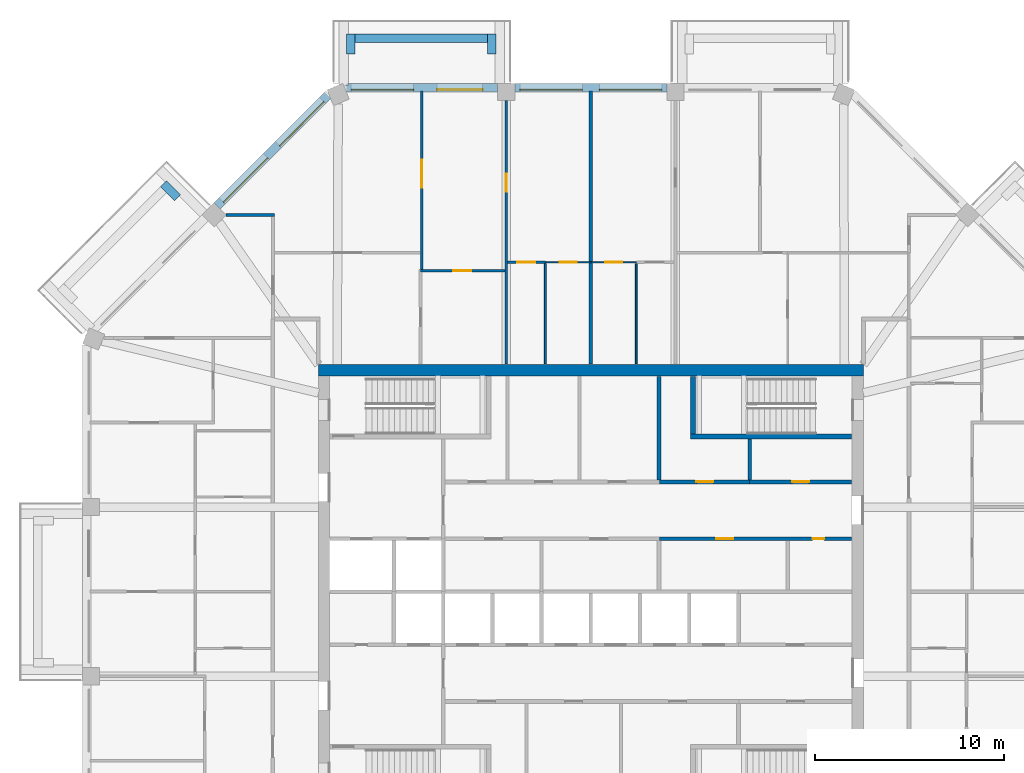
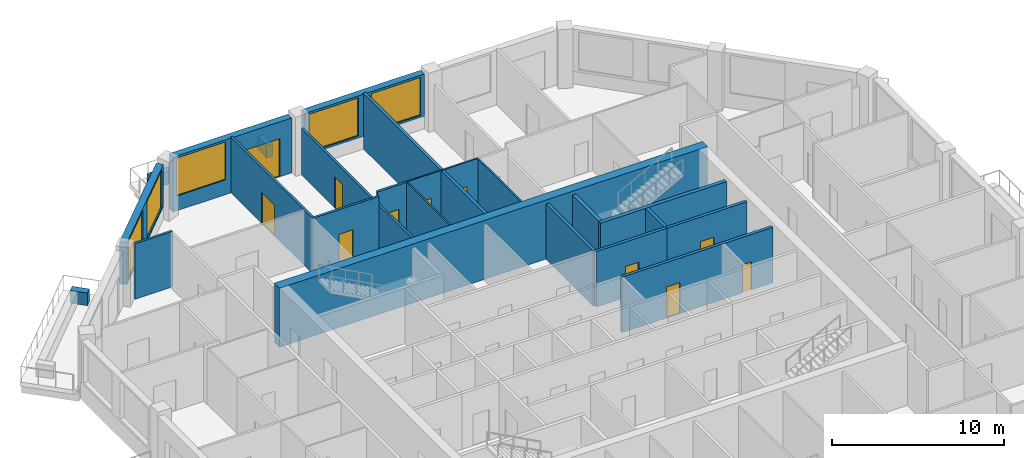
# One storey, part 8 of 12: 25 walls, 11 doors, 5 windows, 16 openings.
"""IFC4 building model written with IfcOpenShell, lengths in metres."""

from ifc_helpers import new_model, si_unit, direction, frame, frame_2d, origin, place, context, subcontext, project, spatial, rectangle, extrude, material, layer, layer_set, type_object, element, fill, save


model = new_model("IFC4")

# Units and contexts
model_context = context("Model", 3, precision=1e-05, world=origin(), true_north=direction((0.0, 1.0)))
body_context = subcontext(model_context, "Body", "Model", "MODEL_VIEW")
ifc_project = project(units=[si_unit("LENGTHUNIT", "METRE"), si_unit("AREAUNIT", "SQUARE_METRE"), si_unit("VOLUMEUNIT", "CUBIC_METRE"), si_unit("PLANEANGLEUNIT", "RADIAN"), si_unit("MASSUNIT", "GRAM", prefix="KILO")], contexts=[model_context])

# Site, building, storey
site_placement = place(None, origin())
site = spatial("IfcSite", under=ifc_project, at=site_placement, CompositionType="ELEMENT")
building_placement = place(site_placement, origin())
building = spatial("IfcBuilding", under=site, at=building_placement, Name="Msitu Wima Residences", CompositionType="ELEMENT")
storey_placement = place(building_placement, frame((0.0, 0.0, 255.89990234375)))
storey = spatial("IfcBuildingStorey", under=building, at=storey_placement, Name="L59", CompositionType="ELEMENT", Elevation=255.89990234375)

# Walls
ifc_material_1 = material(Name="Facing brick")
ifc_layer_1 = layer(ifc_material_1, 0.06494140625, Name="Facing brick")
ifc_material_2 = material(Name="Concrete C40/50", Category="concrete")
ifc_layer_2 = layer(ifc_material_2, 0.156005859375, Name="Concrete C40/50")
ifc_material_3 = material(Name="Waterproofing membrane")
ifc_layer_3 = layer(ifc_material_3, 0.00390625, Name="Waterproofing membrane")
ifc_material_4 = material(Name="Planting soil and planting")
ifc_layer_4 = layer(ifc_material_4, 0.22509765625, Name="Planting soil and planting")
ifc_layer_set_1 = layer_set([ifc_layer_1, ifc_layer_2, ifc_layer_3, ifc_layer_4], Name="Concrete C40/50")
wall_type_1 = type_object("IfcWallType", Name="Balcony planter PLANTER PL450", PredefinedType="USERDEFINED", material=ifc_layer_set_1)
wall_1_placement = place(storey_placement, frame((-5.468505859375, 29.22509765625, 0.0), z_axis=(0.0, 0.0, 1.0), x_axis=(-1.0, 0.0, 0.0)))
element("IfcWall", 1, at=wall_1_placement, inside=storey, type_object=wall_type_1, Name="Balcony planter N2 L59", ObjectType="PLANTER", PredefinedType="USERDEFINED", context=body_context, shape_type="SweptSolid", body=[
    extrude(rectangle(XDim=6.9873046875, YDim=0.449951171875, at=frame_2d((3.49365234375, 0.0))), origin(), (0.0, 0.0, 1.0), 0.900146484375),
])
for number, where, z_axis, x_axis, name in (
    (2, (-5.24365234375, 28.39990234375, 0.0), (0.0, 0.0, 1.0), (0.0, 1.0, 0.0), "Balcony planter N2 L59"),
    (3, (-12.680908203125, 28.39990234375, 0.0), (0.0, 0.0, 1.0), (0.0, 1.0, 0.0), "Balcony planter N2 L59"),
    (4, (-21.829833984375, 20.804443359375, 0.0), (0.0, 0.0, 1.0), (-0.707106781187, 0.707106781187, 0.0), "Balcony planter NW1 L59"),
):
    element("IfcWall", number, at=place(storey_placement, frame(where, z_axis=z_axis, x_axis=x_axis)), inside=storey, type_object=wall_type_1, Name=name, ObjectType="PLANTER", PredefinedType="USERDEFINED", context=body_context, shape_type="SweptSolid", body=[
        extrude(rectangle(XDim=1.050048828125, YDim=0.449951171875, at=frame_2d((0.52490234375, 0.0))), origin(), (0.0, 0.0, 1.0), 0.900146484375),
    ])

# Wall, openings, windows
ifc_material_5 = material(Name="Brick (red buff mix)", Category="masonry")
ifc_layer_5 = layer(ifc_material_5, 0.449951171875)
ifc_layer_set_2 = layer_set([ifc_layer_5], Name="Brick (red buff mix)")
wall_type_2 = type_object("IfcWallType", Name="Brick infill wall BW450", PredefinedType="SOLIDWALL", material=ifc_layer_set_2)
wall_2_placement = place(storey_placement, frame((4.0185546875, 26.625, 0.900146484375), z_axis=(0.0, 0.0, 1.0), x_axis=(-1.0, 0.0, 0.0)))
wall_2 = element("IfcWall", 5, at=wall_2_placement, inside=storey, type_object=wall_type_2, Name="Brick infill wall L59 N1", PredefinedType="SOLIDWALL", context=body_context, shape_type="SweptSolid", body=[
    extrude(rectangle(XDim=8.037109375, YDim=0.449951171875, at=frame_2d((4.0185546875, 0.0))), origin(), (0.0, 0.0, 1.0), 3.0),
])
opening_1_placement = place(wall_2_placement, frame((0.2685546875, 0.0, 0.14990234375)))
opening_1 = element("IfcOpeningElement", 6, at=opening_1_placement, cuts=wall_2, Name="Opening W57-59.007", PredefinedType="OPENING", context=body_context, shape_type="SweptSolid", body=[
    extrude(rectangle(XDim=3.300048828125, YDim=2.699951171875, at=frame_2d((1.64990234375, 1.35009765625))), frame((0.0, 0.23486328125, 0.0), z_axis=(0.0, -1.0, 0.0), x_axis=(1.0, 0.0, 0.0)), (0.0, 0.0, 1.0), 0.469970703125),
])
opening_2_placement = place(wall_2_placement, frame((4.46875, 0.0, 0.14990234375)))
opening_2 = element("IfcOpeningElement", 7, at=opening_2_placement, cuts=wall_2, Name="Opening W57-59.008", PredefinedType="OPENING", context=body_context, shape_type="SweptSolid", body=[
    extrude(rectangle(XDim=3.300048828125, YDim=2.699951171875, at=frame_2d((1.64990234375, 1.35009765625))), frame((0.0, 0.23486328125, 0.0), z_axis=(0.0, -1.0, 0.0), x_axis=(1.0, 0.0, 0.0)), (0.0, 0.0, 1.0), 0.469970703125),
])
ifc_material_6 = material(Name="Anodised aluminium, bronze finish, clear low-emissivity double glazing", Category="aluminium")
window_type = type_object("IfcWindowType", Name="Window W3300x2700", PartitioningType="DOUBLE_PANEL_VERTICAL", PredefinedType="WINDOW", material=ifc_material_6)
window_1_placement = place(opening_1_placement, origin())
window_1 = element("IfcWindow", 8, at=window_1_placement, inside=storey, type_object=window_type, Name="Window L59 N1.1", OverallHeight=2.699951171875, OverallWidth=3.300048828125, PartitioningType="SINGLE_PANEL", PredefinedType="WINDOW", context=body_context, shape_type="SweptSolid", body=[
    extrude(rectangle(XDim=3.300048828125, YDim=2.699951171875, at=frame_2d((1.64990234375, 1.35009765625))), frame((0.0, 0.135009765625, 0.0), z_axis=(0.0, -1.0, 0.0), x_axis=(1.0, 0.0, 0.0)), (0.0, 0.0, 1.0), 0.06005859375),
])
fill(opening_1, window_1)
window_2_placement = place(opening_2_placement, origin())
window_2 = element("IfcWindow", 9, at=window_2_placement, inside=storey, type_object=window_type, Name="Window L59 N1.2", OverallHeight=2.699951171875, OverallWidth=3.300048828125, PartitioningType="SINGLE_PANEL", PredefinedType="WINDOW", context=body_context, shape_type="SweptSolid", body=[
    extrude(rectangle(XDim=3.300048828125, YDim=2.699951171875, at=frame_2d((1.64990234375, 1.35009765625))), frame((0.0, 0.135009765625, 0.0), z_axis=(0.0, -1.0, 0.0), x_axis=(1.0, 0.0, 0.0)), (0.0, 0.0, 1.0), 0.06005859375),
])
fill(opening_2, window_2)

# Wall, openings, door, window
wall_3_placement = place(storey_placement, frame((-4.918701171875, 26.625, 0.0), z_axis=(0.0, 0.0, 1.0), x_axis=(-1.0, 0.0, 0.0)))
wall_3 = element("IfcWall", 10, at=wall_3_placement, inside=storey, type_object=wall_type_2, Name="Brick infill wall L59 N2", PredefinedType="SOLIDWALL", context=body_context, shape_type="SweptSolid", body=[
    extrude(rectangle(XDim=8.0, YDim=0.449951171875, at=frame_2d((4.0, 0.0))), origin(), (0.0, 0.0, 1.0), 3.900146484375),
])
opening_3_placement = place(wall_3_placement, frame((0.800048828125, 0.0, 0.0)))
opening_3 = element("IfcOpeningElement", 11, at=opening_3_placement, cuts=wall_3, Name="Opening D57-59.003", PredefinedType="OPENING", context=body_context, shape_type="SweptSolid", body=[
    extrude(rectangle(XDim=2.39990234375, YDim=2.699951171875, at=frame_2d((1.199951171875, 1.35009765625))), frame((0.0, 0.23486328125, 0.0), z_axis=(0.0, -1.0, 0.0), x_axis=(1.0, 0.0, 0.0)), (0.0, 0.0, 1.0), 0.469970703125),
])
opening_4_placement = place(wall_3_placement, frame((4.4501953125, 0.0, 1.050048828125)))
opening_4 = element("IfcOpeningElement", 12, at=opening_4_placement, cuts=wall_3, Name="Opening W57-59.009", PredefinedType="OPENING", context=body_context, shape_type="SweptSolid", body=[
    extrude(rectangle(XDim=3.300048828125, YDim=2.699951171875, at=frame_2d((1.64990234375, 1.35009765625))), frame((0.0, 0.23486328125, 0.0), z_axis=(0.0, -1.0, 0.0), x_axis=(1.0, 0.0, 0.0)), (0.0, 0.0, 1.0), 0.469970703125),
])
door_type_1 = type_object("IfcDoorType", Name="Balcony door D2400x2700", OperationType="SLIDING_TO_LEFT", PredefinedType="DOOR", material=ifc_material_6)
door_1_placement = place(opening_3_placement, origin())
door_1 = element("IfcDoor", 13, at=door_1_placement, inside=storey, type_object=door_type_1, Name="Balcony door L59 N2", OperationType="SINGLE_SWING_LEFT", OverallHeight=2.699951171875, OverallWidth=2.39990234375, PredefinedType="DOOR", context=body_context, shape_type="SweptSolid", body=[
    extrude(rectangle(XDim=2.39990234375, YDim=2.699951171875, at=frame_2d((1.199951171875, 1.35009765625))), frame((0.0, 0.1298828125, 0.0), z_axis=(0.0, -1.0, 0.0), x_axis=(1.0, 0.0, 0.0)), (0.0, 0.0, 1.0), 0.050048828125),
])
fill(opening_3, door_1)
window_3_placement = place(opening_4_placement, origin())
window_3 = element("IfcWindow", 14, at=window_3_placement, inside=storey, type_object=window_type, Name="Window L59 N2.2", OverallHeight=2.699951171875, OverallWidth=3.300048828125, PartitioningType="SINGLE_PANEL", PredefinedType="WINDOW", context=body_context, shape_type="SweptSolid", body=[
    extrude(rectangle(XDim=3.300048828125, YDim=2.699951171875, at=frame_2d((1.64990234375, 1.35009765625))), frame((0.0, 0.135009765625, 0.0), z_axis=(0.0, -1.0, 0.0), x_axis=(1.0, 0.0, 0.0)), (0.0, 0.0, 1.0), 0.06005859375),
])
fill(opening_4, window_3)

# Wall, openings, windows
wall_4_placement = place(storey_placement, frame((-13.909423828125, 26.214599609375, 0.900146484375), z_axis=(0.0, 0.0, 1.0), x_axis=(-0.707106781187, -0.707106781187, 0.0)))
wall_4 = element("IfcWall", 15, at=wall_4_placement, inside=storey, type_object=wall_type_2, Name="Brick infill wall L59 NW0", PredefinedType="SOLIDWALL", context=body_context, shape_type="SweptSolid", body=[
    extrude(rectangle(XDim=8.251220703125, YDim=0.449951171875, at=frame_2d((4.12548828125, 0.0))), origin(), (0.0, 0.0, 1.0), 3.0),
])
opening_5_placement = place(wall_4_placement, frame((0.37548828125, 0.0, 0.14990234375)))
opening_5 = element("IfcOpeningElement", 16, at=opening_5_placement, cuts=wall_4, Name="Opening W57-59.013", PredefinedType="OPENING", context=body_context, shape_type="SweptSolid", body=[
    extrude(rectangle(XDim=3.300048828125, YDim=2.699951171875, at=frame_2d((1.64990234375, 1.35009765625))), frame((0.0, 0.23486328125, 0.0), z_axis=(0.0, -1.0, 0.0), x_axis=(1.0, 0.0, 0.0)), (0.0, 0.0, 1.0), 0.469970703125),
])
opening_6_placement = place(wall_4_placement, frame((4.57568359375, 0.0, 0.14990234375)))
opening_6 = element("IfcOpeningElement", 17, at=opening_6_placement, cuts=wall_4, Name="Opening W57-59.014", PredefinedType="OPENING", context=body_context, shape_type="SweptSolid", body=[
    extrude(rectangle(XDim=3.300048828125, YDim=2.699951171875, at=frame_2d((1.64990234375, 1.35009765625))), frame((0.0, 0.23486328125, 0.0), z_axis=(0.0, -1.0, 0.0), x_axis=(1.0, 0.0, 0.0)), (0.0, 0.0, 1.0), 0.469970703125),
])
window_4_placement = place(opening_5_placement, origin())
window_4 = element("IfcWindow", 18, at=window_4_placement, inside=storey, type_object=window_type, Name="Window L59 NW0.1", OverallHeight=2.699951171875, OverallWidth=3.300048828125, PartitioningType="SINGLE_PANEL", PredefinedType="WINDOW", context=body_context, shape_type="SweptSolid", body=[
    extrude(rectangle(XDim=3.300048828125, YDim=2.699951171875, at=frame_2d((1.64990234375, 1.35009765625))), frame((0.0, 0.135009765625, 0.0), z_axis=(0.0, -1.0, 0.0), x_axis=(1.0, 0.0, 0.0)), (0.0, 0.0, 1.0), 0.06005859375),
])
fill(opening_5, window_4)
window_5_placement = place(opening_6_placement, origin())
window_5 = element("IfcWindow", 19, at=window_5_placement, inside=storey, type_object=window_type, Name="Window L59 NW0.2", OverallHeight=2.699951171875, OverallWidth=3.300048828125, PartitioningType="SINGLE_PANEL", PredefinedType="WINDOW", context=body_context, shape_type="SweptSolid", body=[
    extrude(rectangle(XDim=3.300048828125, YDim=2.699951171875, at=frame_2d((1.64990234375, 1.35009765625))), frame((0.0, 0.135009765625, 0.0), z_axis=(0.0, -1.0, 0.0), x_axis=(1.0, 0.0, 0.0)), (0.0, 0.0, 1.0), 0.06005859375),
])
fill(opening_6, window_5)

# Wall
ifc_material_7 = material(Name="Concrete C50/60", Category="concrete")
ifc_layer_6 = layer(ifc_material_7, 0.60009765625)
ifc_layer_set_3 = layer_set([ifc_layer_6], Name="Concrete C50/60")
wall_type_3 = type_object("IfcWallType", Name="Core wall CW600 C50/60", PredefinedType="SHEAR", material=ifc_layer_set_3)
wall_5_placement = place(storey_placement, frame((-14.39990234375, 11.699951171875, 0.0), z_axis=(0.0, 0.0, 1.0), x_axis=(1.0, 0.0, 0.0)))
element("IfcWall", 20, at=wall_5_placement, inside=storey, type_object=wall_type_3, Name="Core wall", PredefinedType="SHEAR", context=body_context, shape_type="SweptSolid", body=[
    extrude(rectangle(XDim=28.7998046875, YDim=0.60009765625, at=frame_2d((14.39990234375, 0.0))), origin(), (0.0, 0.0, 1.0), 4.2001953125),
])

# Wall, opening, door
ifc_material_8 = material(Name="Plaster")
ifc_layer_7 = layer(ifc_material_8, 0.011962890625, Name="Plaster")
ifc_material_9 = material(Name="Concrete blockwork", Category="masonry")
ifc_layer_8 = layer(ifc_material_9, 0.176025390625, Name="Concrete blockwork")
ifc_layer_9 = layer(ifc_material_8, 0.011962890625, Name="Plaster")
ifc_layer_set_4 = layer_set([ifc_layer_7, ifc_layer_8, ifc_layer_9], Name="Concrete blockwork")
wall_type_4 = type_object("IfcWallType", Name="Corridor wall FW200", PredefinedType="PARTITIONING", material=ifc_layer_set_4)
wall_6_placement = place(storey_placement, frame((8.3798828125, 5.800048828125, 0.0), z_axis=(0.0, 0.0, 1.0), x_axis=(1.0, 0.0, 0.0)))
wall_6 = element("IfcWall", 21, at=wall_6_placement, inside=storey, type_object=wall_type_4, Name="Corridor wall", PredefinedType="PARTITIONING", context=body_context, shape_type="SweptSolid", body=[
    extrude(rectangle(XDim=5.39013671875, YDim=0.199951171875, at=frame_2d((2.695068359375, 0.0))), origin(), (0.0, 0.0, 1.0), 3.9501953125),
])
opening_7_placement = place(wall_6_placement, frame((2.25, 0.0, 0.0)))
opening_7 = element("IfcOpeningElement", 22, at=opening_7_placement, cuts=wall_6, Name="Opening D57-59.072", PredefinedType="OPENING", context=body_context, shape_type="SweptSolid", body=[
    extrude(rectangle(XDim=0.89990234375, YDim=2.199951171875, at=frame_2d((0.449951171875, 1.10009765625))), frame((0.0, 0.10986328125, 0.0), z_axis=(0.0, -1.0, 0.0), x_axis=(1.0, 0.0, 0.0)), (0.0, 0.0, 1.0), 0.219970703125),
])
ifc_material_10 = material(Name="Timber flush door", Category="wood")
door_type_2 = type_object("IfcDoorType", Name="Service door D05 900x2200", OperationType="SINGLE_SWING_LEFT", PredefinedType="DOOR", material=ifc_material_10)
door_2_placement = place(opening_7_placement, origin())
door_2 = element("IfcDoor", 23, at=door_2_placement, inside=storey, type_object=door_type_2, Name="Service door", OperationType="SINGLE_SWING_LEFT", OverallHeight=2.199951171875, OverallWidth=0.89990234375, PredefinedType="DOOR", context=body_context, shape_type="SweptSolid", body=[
    extrude(rectangle(XDim=0.89990234375, YDim=2.199951171875, at=frame_2d((0.449951171875, 1.10009765625))), frame((0.0, 0.02490234375, 0.0), z_axis=(0.0, -1.0, 0.0), x_axis=(1.0, 0.0, 0.0)), (0.0, 0.0, 1.0), 0.050048828125),
])
fill(opening_7, door_2)

# Wall
ifc_layer_10 = layer(ifc_material_8, 0.011962890625, Name="Plaster")
ifc_layer_11 = layer(ifc_material_9, 0.1259765625, Name="Concrete blockwork")
ifc_layer_12 = layer(ifc_material_8, 0.011962890625, Name="Plaster")
ifc_layer_set_5 = layer_set([ifc_layer_10, ifc_layer_11, ifc_layer_12], Name="Concrete blockwork")
wall_type_5 = type_object("IfcWallType", Name="Partition PW150", PredefinedType="PARTITIONING", material=ifc_layer_set_5)
wall_7_placement = place(storey_placement, frame((-19.2666015625, 19.90283203125, 0.0), z_axis=(0.0, 0.0, 1.0), x_axis=(1.0, 0.0, 0.0)))
element("IfcWall", 24, at=wall_7_placement, inside=storey, type_object=wall_type_5, Name="Partition", PredefinedType="PARTITIONING", context=body_context, shape_type="SweptSolid", body=[
    extrude(rectangle(XDim=2.54150390625, YDim=0.14990234375, at=frame_2d((1.270751953125, 0.0))), origin(), (0.0, 0.0, 1.0), 3.9501953125),
])

# Wall, opening, door
wall_8_placement = place(storey_placement, frame((-8.937255859375, 17.02490234375, 0.0), z_axis=(0.0, 0.0, 1.0), x_axis=(0.0, 1.0, 0.0)))
wall_8 = element("IfcWall", 25, at=wall_8_placement, inside=storey, type_object=wall_type_5, Name="Partition", PredefinedType="PARTITIONING", context=body_context, shape_type="SweptSolid", body=[
    extrude(rectangle(XDim=9.43017578125, YDim=0.14990234375, at=frame_2d((4.715087890625, 0.0))), origin(), (0.0, 0.0, 1.0), 3.9501953125),
])
opening_8_placement = place(wall_8_placement, frame((4.300048828125, 0.0, 0.0)))
opening_8 = element("IfcOpeningElement", 26, at=opening_8_placement, cuts=wall_8, Name="Opening D57-59.035", PredefinedType="OPENING", context=body_context, shape_type="SweptSolid", body=[
    extrude(rectangle(XDim=1.5, YDim=2.199951171875, at=frame_2d((0.75, 1.10009765625))), frame((0.0, 0.0849609375, 0.0), z_axis=(0.0, -1.0, 0.0), x_axis=(1.0, 0.0, 0.0)), (0.0, 0.0, 1.0), 0.169921875),
])
ifc_material_11 = material(Name="Timber double door", Category="wood")
door_type_3 = type_object("IfcDoorType", Name="Double door D04 1500x2200", OperationType="DOUBLE_DOOR_SINGLE_SWING", PredefinedType="DOOR", material=ifc_material_11)
door_3_placement = place(opening_8_placement, origin())
door_3 = element("IfcDoor", 27, at=door_3_placement, inside=storey, type_object=door_type_3, Name="Double door", OperationType="DOUBLE_DOOR_SINGLE_SWING", OverallHeight=2.199951171875, OverallWidth=1.5, PredefinedType="DOOR", context=body_context, shape_type="SweptSolid", body=[
    extrude(rectangle(XDim=1.5, YDim=2.199951171875, at=frame_2d((0.75, 1.10009765625))), frame((0.0, 0.02490234375, 0.0), z_axis=(0.0, -1.0, 0.0), x_axis=(1.0, 0.0, 0.0)), (0.0, 0.0, 1.0), 0.050048828125),
])
fill(opening_8, door_3)

wall_9_placement = place(storey_placement, frame((-9.01220703125, 16.949951171875, 0.0), z_axis=(0.0, 0.0, 1.0), x_axis=(1.0, 0.0, 0.0)))
wall_9 = element("IfcWall", 28, at=wall_9_placement, inside=storey, type_object=wall_type_5, Name="Partition", PredefinedType="PARTITIONING", context=body_context, shape_type="SweptSolid", body=[
    extrude(rectangle(XDim=4.468505859375, YDim=0.14990234375, at=frame_2d((2.234375, 0.0))), origin(), (0.0, 0.0, 1.0), 3.9501953125),
])
opening_9_placement = place(wall_9_placement, frame((1.75, 0.0, 0.0)))
opening_9 = element("IfcOpeningElement", 29, at=opening_9_placement, cuts=wall_9, Name="Opening D57-59.042", PredefinedType="OPENING", context=body_context, shape_type="SweptSolid", body=[
    extrude(rectangle(XDim=0.949951171875, YDim=2.199951171875, at=frame_2d((0.47509765625, 1.10009765625))), frame((0.0, 0.0849609375, 0.0), z_axis=(0.0, -1.0, 0.0), x_axis=(1.0, 0.0, 0.0)), (0.0, 0.0, 1.0), 0.169921875),
])
door_type_4 = type_object("IfcDoorType", Name="Room door D12 950x2200", OperationType="SINGLE_SWING_LEFT", PredefinedType="DOOR", material=ifc_material_10)
door_4_placement = place(opening_9_placement, origin())
door_4 = element("IfcDoor", 30, at=door_4_placement, inside=storey, type_object=door_type_4, Name="Room door", OperationType="SINGLE_SWING_LEFT", OverallHeight=2.199951171875, OverallWidth=0.949951171875, PredefinedType="DOOR", context=body_context, shape_type="SweptSolid", body=[
    extrude(rectangle(XDim=0.949951171875, YDim=2.199951171875, at=frame_2d((0.47509765625, 1.10009765625))), frame((0.0, 0.02490234375, 0.0), z_axis=(0.0, -1.0, 0.0), x_axis=(1.0, 0.0, 0.0)), (0.0, 0.0, 1.0), 0.050048828125),
])
fill(opening_9, door_4)

wall_10_placement = place(storey_placement, frame((-4.46875, 12.030029296875, 0.0), z_axis=(0.0, 0.0, 1.0), x_axis=(0.0, 1.0, 0.0)))
wall_10 = element("IfcWall", 31, at=wall_10_placement, inside=storey, type_object=wall_type_5, Name="Partition", PredefinedType="PARTITIONING", context=body_context, shape_type="SweptSolid", body=[
    extrude(rectangle(XDim=13.919921875, YDim=0.14990234375, at=frame_2d((6.9599609375, 0.0))), origin(), (0.0, 0.0, 1.0), 3.300048828125),
])
opening_10_placement = place(wall_10_placement, frame((9.10009765625, 0.0, 0.0)))
opening_10 = element("IfcOpeningElement", 32, at=opening_10_placement, cuts=wall_10, Name="Opening D57-59.039", PredefinedType="OPENING", context=body_context, shape_type="SweptSolid", body=[
    extrude(rectangle(XDim=0.949951171875, YDim=2.199951171875, at=frame_2d((0.47509765625, 1.10009765625))), frame((0.0, 0.0849609375, 0.0), z_axis=(0.0, -1.0, 0.0), x_axis=(1.0, 0.0, 0.0)), (0.0, 0.0, 1.0), 0.169921875),
])
door_5_placement = place(opening_10_placement, origin())
door_5 = element("IfcDoor", 33, at=door_5_placement, inside=storey, type_object=door_type_4, Name="Room door", OperationType="SINGLE_SWING_RIGHT", OverallHeight=2.199951171875, OverallWidth=0.949951171875, PredefinedType="DOOR", context=body_context, shape_type="SweptSolid", body=[
    extrude(rectangle(XDim=0.949951171875, YDim=2.199951171875, at=frame_2d((0.47509765625, 1.10009765625))), frame((0.0, 0.02490234375, 0.0), z_axis=(0.0, -1.0, 0.0), x_axis=(1.0, 0.0, 0.0)), (0.0, 0.0, 1.0), 0.050048828125),
])
fill(opening_10, door_5)

wall_11_placement = place(storey_placement, frame((-4.3935546875, 17.39990234375, 0.0), z_axis=(0.0, 0.0, 1.0), x_axis=(1.0, 0.0, 0.0)))
wall_11 = element("IfcWall", 34, at=wall_11_placement, inside=storey, type_object=wall_type_5, Name="Partition", PredefinedType="PARTITIONING", context=body_context, shape_type="SweptSolid", body=[
    extrude(rectangle(XDim=1.99365234375, YDim=0.14990234375, at=frame_2d((0.996826171875, 0.0))), origin(), (0.0, 0.0, 1.0), 3.9501953125),
])
opening_11_placement = place(wall_11_placement, frame((0.5, 0.0, 0.0)))
opening_11 = element("IfcOpeningElement", 35, at=opening_11_placement, cuts=wall_11, Name="Opening D57-59.041", PredefinedType="OPENING", context=body_context, shape_type="SweptSolid", body=[
    extrude(rectangle(XDim=0.949951171875, YDim=2.199951171875, at=frame_2d((0.47509765625, 1.10009765625))), frame((0.0, 0.0849609375, 0.0), z_axis=(0.0, -1.0, 0.0), x_axis=(1.0, 0.0, 0.0)), (0.0, 0.0, 1.0), 0.169921875),
])
door_6_placement = place(opening_11_placement, origin())
door_6 = element("IfcDoor", 36, at=door_6_placement, inside=storey, type_object=door_type_4, Name="Room door", OperationType="SINGLE_SWING_LEFT", OverallHeight=2.199951171875, OverallWidth=0.949951171875, PredefinedType="DOOR", context=body_context, shape_type="SweptSolid", body=[
    extrude(rectangle(XDim=0.949951171875, YDim=2.199951171875, at=frame_2d((0.47509765625, 1.10009765625))), frame((0.0, 0.02490234375, 0.0), z_axis=(0.0, -1.0, 0.0), x_axis=(1.0, 0.0, 0.0)), (0.0, 0.0, 1.0), 0.050048828125),
])
fill(opening_11, door_6)

# Wall
ifc_layer_13 = layer(ifc_material_8, 0.011962890625, Name="Plaster")
ifc_material_12 = material(Name="Dense concrete blockwork", Category="masonry")
ifc_layer_14 = layer(ifc_material_12, 0.176025390625, Name="Dense concrete blockwork")
ifc_layer_15 = layer(ifc_material_8, 0.011962890625, Name="Plaster")
ifc_layer_set_6 = layer_set([ifc_layer_13, ifc_layer_14, ifc_layer_15], Name="Dense concrete blockwork")
wall_type_6 = type_object("IfcWallType", Name="Party wall PW200", PredefinedType="PARTITIONING", material=ifc_layer_set_6)
wall_12_placement = place(storey_placement, frame((0.0, 12.030029296875, 0.0), z_axis=(0.0, 0.0, 1.0), x_axis=(0.0, 1.0, 0.0)))
element("IfcWall", 37, at=wall_12_placement, inside=storey, type_object=wall_type_6, Name="Party wall", PredefinedType="PARTITIONING", context=body_context, shape_type="SweptSolid", body=[
    extrude(rectangle(XDim=14.425048828125, YDim=0.199951171875, at=frame_2d((7.21240234375, 0.0))), origin(), (0.0, 0.0, 1.0), 3.9501953125),
])

# Wall, openings, doors
ifc_layer_16 = layer(ifc_material_8, 0.011962890625, Name="Plaster")
ifc_material_13 = material(Name="Reinforced concrete blockwork", Category="masonry")
ifc_layer_17 = layer(ifc_material_13, 0.176025390625, Name="Reinforced concrete blockwork")
ifc_layer_18 = layer(ifc_material_8, 0.011962890625, Name="Plaster")
ifc_layer_set_7 = layer_set([ifc_layer_16, ifc_layer_17, ifc_layer_18], Name="Reinforced concrete blockwork")
wall_type_7 = type_object("IfcWallType", Name="Plant and riser wall PL200", PredefinedType="PARTITIONING", material=ifc_layer_set_7)
wall_13_placement = place(storey_placement, frame((3.6201171875, 2.800048828125, 0.0), z_axis=(0.0, 0.0, 1.0), x_axis=(1.0, 0.0, 0.0)))
wall_13 = element("IfcWall", 38, at=wall_13_placement, inside=storey, type_object=wall_type_7, Name="Plant and riser wall", PredefinedType="PARTITIONING", context=body_context, shape_type="SweptSolid", body=[
    extrude(rectangle(XDim=10.14990234375, YDim=0.199951171875, at=frame_2d((5.074951171875, 0.0))), origin(), (0.0, 0.0, 1.0), 3.9501953125),
])
opening_12_placement = place(wall_13_placement, frame((8.10009765625, 0.0, 0.0)))
opening_12 = element("IfcOpeningElement", 39, at=opening_12_placement, cuts=wall_13, Name="Opening D57-59.082", PredefinedType="OPENING", context=body_context, shape_type="SweptSolid", body=[
    extrude(rectangle(XDim=0.60009765625, YDim=2.0, at=frame_2d((0.300048828125, 1.0))), frame((0.0, 0.10986328125, 0.0), z_axis=(0.0, -1.0, 0.0), x_axis=(1.0, 0.0, 0.0)), (0.0, 0.0, 1.0), 0.219970703125),
])
opening_13_placement = place(wall_13_placement, frame((3.0, 0.0, 0.0)))
opening_13 = element("IfcOpeningElement", 40, at=opening_13_placement, cuts=wall_13, Name="Opening D57-59.081", PredefinedType="OPENING", context=body_context, shape_type="SweptSolid", body=[
    extrude(rectangle(XDim=0.89990234375, YDim=2.199951171875, at=frame_2d((0.449951171875, 1.10009765625))), frame((0.0, 0.10986328125, 0.0), z_axis=(0.0, -1.0, 0.0), x_axis=(1.0, 0.0, 0.0)), (0.0, 0.0, 1.0), 0.219970703125),
])
ifc_material_14 = material(Name="Steel access door, fire resisting", Category="steel")
door_type_5 = type_object("IfcDoorType", Name="Riser access door D08 600x2000", OperationType="SINGLE_SWING_LEFT", PredefinedType="DOOR", material=ifc_material_14)
door_7_placement = place(opening_12_placement, origin())
door_7 = element("IfcDoor", 41, at=door_7_placement, inside=storey, type_object=door_type_5, Name="Riser access door", OperationType="SINGLE_SWING_RIGHT", OverallHeight=2.0, OverallWidth=0.60009765625, PredefinedType="DOOR", context=body_context, shape_type="SweptSolid", body=[
    extrude(rectangle(XDim=0.60009765625, YDim=2.0, at=frame_2d((0.300048828125, 1.0))), frame((0.0, 0.02490234375, 0.0), z_axis=(0.0, -1.0, 0.0), x_axis=(1.0, 0.0, 0.0)), (0.0, 0.0, 1.0), 0.050048828125),
])
fill(opening_12, door_7)
door_8_placement = place(opening_13_placement, origin())
door_8 = element("IfcDoor", 42, at=door_8_placement, inside=storey, type_object=door_type_2, Name="Service door", OperationType="SINGLE_SWING_LEFT", OverallHeight=2.199951171875, OverallWidth=0.89990234375, PredefinedType="DOOR", context=body_context, shape_type="SweptSolid", body=[
    extrude(rectangle(XDim=0.89990234375, YDim=2.199951171875, at=frame_2d((0.449951171875, 1.10009765625))), frame((0.0, 0.02490234375, 0.0), z_axis=(0.0, -1.0, 0.0), x_axis=(1.0, 0.0, 0.0)), (0.0, 0.0, 1.0), 0.050048828125),
])
fill(opening_13, door_8)

# Wall, opening, door
wall_14_placement = place(storey_placement, frame((3.6201171875, 5.800048828125, 0.0), z_axis=(0.0, 0.0, 1.0), x_axis=(1.0, 0.0, 0.0)))
wall_14 = element("IfcWall", 43, at=wall_14_placement, inside=storey, type_object=wall_type_7, Name="Plant and riser wall", PredefinedType="PARTITIONING", context=body_context, shape_type="SweptSolid", body=[
    extrude(rectangle(XDim=4.759765625, YDim=0.199951171875, at=frame_2d((2.3798828125, 0.0))), origin(), (0.0, 0.0, 1.0), 3.9501953125),
])
opening_14_placement = place(wall_14_placement, frame((1.949951171875, 0.0, 0.0)))
opening_14 = element("IfcOpeningElement", 44, at=opening_14_placement, cuts=wall_14, Name="Opening D57-59.071", PredefinedType="OPENING", context=body_context, shape_type="SweptSolid", body=[
    extrude(rectangle(XDim=0.89990234375, YDim=2.199951171875, at=frame_2d((0.449951171875, 1.10009765625))), frame((0.0, 0.10986328125, 0.0), z_axis=(0.0, -1.0, 0.0), x_axis=(1.0, 0.0, 0.0)), (0.0, 0.0, 1.0), 0.219970703125),
])
door_9_placement = place(opening_14_placement, origin())
door_9 = element("IfcDoor", 45, at=door_9_placement, inside=storey, type_object=door_type_2, Name="Service door", OperationType="SINGLE_SWING_RIGHT", OverallHeight=2.199951171875, OverallWidth=0.89990234375, PredefinedType="DOOR", context=body_context, shape_type="SweptSolid", body=[
    extrude(rectangle(XDim=0.89990234375, YDim=2.199951171875, at=frame_2d((0.449951171875, 1.10009765625))), frame((0.0, 0.02490234375, 0.0), z_axis=(0.0, -1.0, 0.0), x_axis=(1.0, 0.0, 0.0)), (0.0, 0.0, 1.0), 0.050048828125),
])
fill(opening_14, door_9)

# Walls
wall_15_placement = place(storey_placement, frame((3.60009765625, 5.89990234375, 0.0), z_axis=(0.0, 0.0, 1.0), x_axis=(0.0, 1.0, 0.0)))
element("IfcWall", 46, at=wall_15_placement, inside=storey, type_object=wall_type_7, Name="Plant and riser wall", PredefinedType="PARTITIONING", context=body_context, shape_type="SweptSolid", body=[
    extrude(rectangle(XDim=5.47021484375, YDim=0.199951171875, at=frame_2d((2.735107421875, 0.0))), origin(), (0.0, 0.0, 1.0), 3.9501953125),
])
wall_16_placement = place(storey_placement, frame((8.39990234375, 5.89990234375, 0.0), z_axis=(0.0, 0.0, 1.0), x_axis=(0.0, 1.0, 0.0)))
element("IfcWall", 47, at=wall_16_placement, inside=storey, type_object=wall_type_7, Name="Plant and riser wall", PredefinedType="PARTITIONING", context=body_context, shape_type="SweptSolid", body=[
    extrude(rectangle(XDim=2.175048828125, YDim=0.199951171875, at=frame_2d((1.08740234375, 0.0))), origin(), (0.0, 0.0, 1.0), 3.9501953125),
])
ifc_layer_19 = layer(ifc_material_7, 0.25)
ifc_layer_set_8 = layer_set([ifc_layer_19], Name="Concrete C50/60")
wall_type_8 = type_object("IfcWallType", Name="Stair enclosure wall SW250", PredefinedType="SHEAR", material=ifc_layer_set_8)
wall_17_placement = place(storey_placement, frame((5.39990234375, 8.324951171875, 0.0), z_axis=(0.0, 0.0, 1.0), x_axis=(0.0, 1.0, 0.0)))
element("IfcWall", 48, at=wall_17_placement, inside=storey, type_object=wall_type_8, Name="Stair enclosure wall", PredefinedType="SHEAR", context=body_context, shape_type="SweptSolid", body=[
    extrude(rectangle(XDim=3.045166015625, YDim=0.25, at=frame_2d((1.5224609375, 0.0))), origin(), (0.0, 0.0, 1.0), 3.9501953125),
])
wall_18_placement = place(storey_placement, frame((5.27490234375, 8.199951171875, 0.0), z_axis=(0.0, 0.0, 1.0), x_axis=(1.0, 0.0, 0.0)))
element("IfcWall", 49, at=wall_18_placement, inside=storey, type_object=wall_type_8, Name="Stair enclosure wall", PredefinedType="SHEAR", context=body_context, shape_type="SweptSolid", body=[
    extrude(rectangle(XDim=8.4951171875, YDim=0.25, at=frame_2d((4.24755859375, 0.0))), origin(), (0.0, 0.0, 1.0), 3.9501953125),
])
ifc_material_15 = material(Name="Ceramic tiles")
ifc_layer_20 = layer(ifc_material_15, 0.008056640625, Name="Ceramic tiles")
ifc_material_16 = material(Name="Moisture-resistant board")
ifc_layer_21 = layer(ifc_material_16, 0.012451171875, Name="Moisture-resistant board")
ifc_material_17 = material(Name="Light-gauge stud framing with mineral wool")
ifc_layer_22 = layer(ifc_material_17, 0.06689453125, Name="Light-gauge stud framing with mineral wool")
ifc_layer_23 = layer(ifc_material_16, 0.012451171875, Name="Moisture-resistant board")
ifc_layer_set_9 = layer_set([ifc_layer_20, ifc_layer_21, ifc_layer_22, ifc_layer_23], Name="Light-gauge stud framing with mineral wool")
wall_type_9 = type_object("IfcWallType", Name="Wet wall PW100", PredefinedType="PARTITIONING", material=ifc_layer_set_9)
wall_19_placement = place(storey_placement, frame((-2.39990234375, 12.030029296875, 0.0), z_axis=(0.0, 0.0, 1.0), x_axis=(0.0, 1.0, 0.0)))
element("IfcWall", 50, at=wall_19_placement, inside=storey, type_object=wall_type_9, Name="Wet wall", PredefinedType="PARTITIONING", context=body_context, shape_type="SweptSolid", body=[
    extrude(rectangle(XDim=5.294921875, YDim=0.10009765625, at=frame_2d((2.6474609375, 0.0))), origin(), (0.0, 0.0, 1.0), 3.9501953125),
])

# Wall, opening, door
wall_20_placement = place(storey_placement, frame((-2.39990234375, 17.39990234375, 0.0), z_axis=(0.0, 0.0, 1.0), x_axis=(1.0, 0.0, 0.0)))
wall_20 = element("IfcWall", 51, at=wall_20_placement, inside=storey, type_object=wall_type_9, Name="Wet wall", PredefinedType="PARTITIONING", context=body_context, shape_type="SweptSolid", body=[
    extrude(rectangle(XDim=2.39990234375, YDim=0.10009765625, at=frame_2d((1.199951171875, 0.0))), origin(), (0.0, 0.0, 1.0), 3.9501953125),
])
opening_15_placement = place(wall_20_placement, frame((0.75, 0.0, 0.0)))
opening_15 = element("IfcOpeningElement", 52, at=opening_15_placement, cuts=wall_20, Name="Opening D57-59.040", PredefinedType="OPENING", context=body_context, shape_type="SweptSolid", body=[
    extrude(rectangle(XDim=0.89990234375, YDim=2.199951171875, at=frame_2d((0.449951171875, 1.10009765625))), frame((0.0, 0.06005859375, 0.0), z_axis=(0.0, -1.0, 0.0), x_axis=(1.0, 0.0, 0.0)), (0.0, 0.0, 1.0), 0.1201171875),
])
ifc_material_18 = material(Name="Timber flush door, moisture resistant", Category="wood")
door_type_6 = type_object("IfcDoorType", Name="Bathroom door D03 900x2200", OperationType="SINGLE_SWING_LEFT", PredefinedType="DOOR", material=ifc_material_18)
door_10_placement = place(opening_15_placement, origin())
door_10 = element("IfcDoor", 53, at=door_10_placement, inside=storey, type_object=door_type_6, Name="Bathroom door", OperationType="SINGLE_SWING_LEFT", OverallHeight=2.199951171875, OverallWidth=0.89990234375, PredefinedType="DOOR", context=body_context, shape_type="SweptSolid", body=[
    extrude(rectangle(XDim=0.89990234375, YDim=2.199951171875, at=frame_2d((0.449951171875, 1.10009765625))), frame((0.0, 0.02490234375, 0.0), z_axis=(0.0, -1.0, 0.0), x_axis=(1.0, 0.0, 0.0)), (0.0, 0.0, 1.0), 0.050048828125),
])
fill(opening_15, door_10)

wall_21_placement = place(storey_placement, frame((0.0, 17.39990234375, 0.0), z_axis=(0.0, 0.0, 1.0), x_axis=(1.0, 0.0, 0.0)))
wall_21 = element("IfcWall", 54, at=wall_21_placement, inside=storey, type_object=wall_type_9, Name="Wet wall", PredefinedType="PARTITIONING", context=body_context, shape_type="SweptSolid", body=[
    extrude(rectangle(XDim=2.39990234375, YDim=0.10009765625, at=frame_2d((1.199951171875, 0.0))), origin(), (0.0, 0.0, 1.0), 3.9501953125),
])
opening_16_placement = place(wall_21_placement, frame((0.75, 0.0, 0.0)))
opening_16 = element("IfcOpeningElement", 55, at=opening_16_placement, cuts=wall_21, Name="Opening D57-59.014", PredefinedType="OPENING", context=body_context, shape_type="SweptSolid", body=[
    extrude(rectangle(XDim=0.89990234375, YDim=2.199951171875, at=frame_2d((0.449951171875, 1.10009765625))), frame((0.0, 0.06005859375, 0.0), z_axis=(0.0, -1.0, 0.0), x_axis=(1.0, 0.0, 0.0)), (0.0, 0.0, 1.0), 0.1201171875),
])
door_11_placement = place(opening_16_placement, origin())
door_11 = element("IfcDoor", 56, at=door_11_placement, inside=storey, type_object=door_type_6, Name="Bathroom door", OperationType="SINGLE_SWING_RIGHT", OverallHeight=2.199951171875, OverallWidth=0.89990234375, PredefinedType="DOOR", context=body_context, shape_type="SweptSolid", body=[
    extrude(rectangle(XDim=0.89990234375, YDim=2.199951171875, at=frame_2d((0.449951171875, 1.10009765625))), frame((0.0, 0.02490234375, 0.0), z_axis=(0.0, -1.0, 0.0), x_axis=(1.0, 0.0, 0.0)), (0.0, 0.0, 1.0), 0.050048828125),
])
fill(opening_16, door_11)

# Wall
wall_22_placement = place(storey_placement, frame((2.39990234375, 12.030029296875, 0.0), z_axis=(0.0, 0.0, 1.0), x_axis=(0.0, 1.0, 0.0)))
element("IfcWall", 57, at=wall_22_placement, inside=storey, type_object=wall_type_9, Name="Wet wall", PredefinedType="PARTITIONING", context=body_context, shape_type="SweptSolid", body=[
    extrude(rectangle(XDim=5.294921875, YDim=0.10009765625, at=frame_2d((2.6474609375, 0.0))), origin(), (0.0, 0.0, 1.0), 3.9501953125),
])

save(model, "model.ifc")
